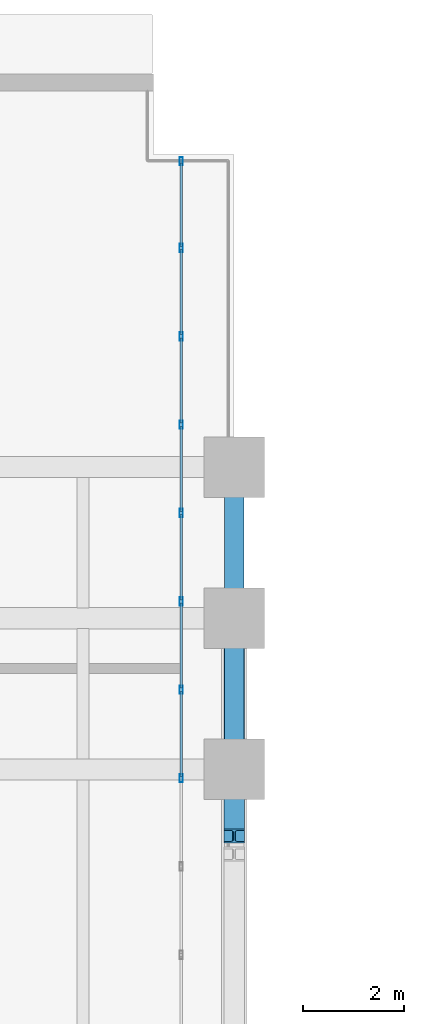
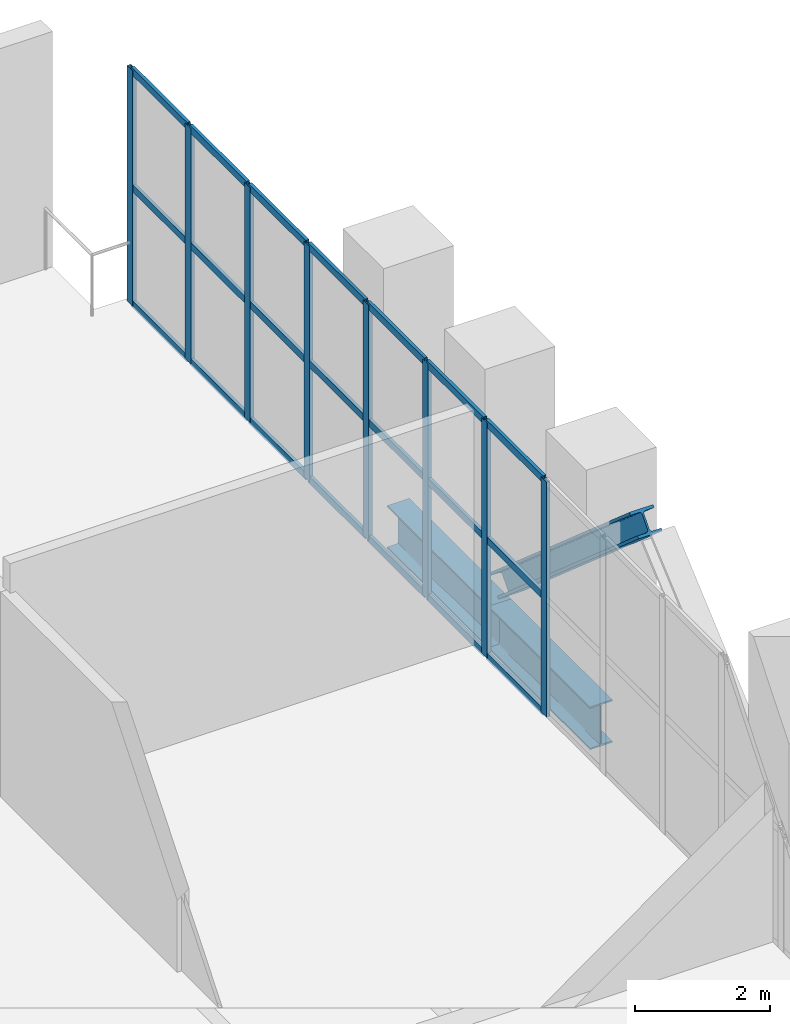
# One storey, part 20 of 27: 30 members, 2 beams, 1 element without a shape of its own.
"""IFC4 building model written with IfcOpenShell, lengths in metres."""

from ifc_helpers import new_model, si_unit, direction, frame, origin, origin_2d, place, context, subcontext, project, spatial, hollow_rectangle, i_section, extrude, material, layer, layer_set, material_profile, profile_set, type_object, element, aggregate, save


model = new_model("IFC4")

# Units and contexts
model_context = context("Model", 3, precision=1e-05, world=origin(), true_north=direction((0.0, 1.0)))
body_context = subcontext(model_context, "Body", "Model", "MODEL_VIEW")
ifc_project = project(units=[si_unit("LENGTHUNIT", "METRE"), si_unit("AREAUNIT", "SQUARE_METRE"), si_unit("VOLUMEUNIT", "CUBIC_METRE"), si_unit("PLANEANGLEUNIT", "RADIAN"), si_unit("MASSUNIT", "GRAM", prefix="KILO")], contexts=[model_context])

# Site, building, storey
site_placement = place(None, origin())
site = spatial("IfcSite", under=ifc_project, at=site_placement, CompositionType="ELEMENT")
building_placement = place(site_placement, origin())
building = spatial("IfcBuilding", under=site, at=building_placement, Name="Mawjdan Bourse Tower", CompositionType="ELEMENT")
storey_placement = place(building_placement, frame((0.0, 0.0, 84.60009765625)))
storey = spatial("IfcBuildingStorey", under=building, at=storey_placement, Name="L19", CompositionType="ELEMENT", Elevation=84.60009765625)

# Member
ifc_material_1 = material(Name="Structural Steel S460", Category="steel")
ifc_material_profile_1 = material_profile(ifc_material_1, i_section(OverallWidth=0.406005859375, OverallDepth=0.416015625, WebThickness=0.02978515625, FlangeThickness=0.048095703125, FilletRadius=0.038330078125, at=origin_2d()), Name="W14X257")
ifc_profile_set_1 = profile_set([ifc_material_profile_1], Name="Structural Steel S460")
member_type_1 = type_object("IfcMemberType", Name="BRC-W14X257", PredefinedType="BRACE", material=ifc_profile_set_1)
member_1_placement = place(storey_placement, frame((24.0, 34.679931640625, 3.7998046875), z_axis=(0.0, 0.754629472097, -0.656151171486), x_axis=(-1.0, 0.0, 0.0)))
element("IfcMember", 1, at=member_1_placement, inside=storey, type_object=member_type_1, Name="L19 North Wing Perimeter Belt Truss Diagonal 4", PredefinedType="BRACE", context=body_context, shape_type="SweptSolid", body=[
    extrude(i_section(OverallWidth=0.406005859375, OverallDepth=0.416015625, WebThickness=0.02978515625, FlangeThickness=0.048095703125, FilletRadius=0.038330078125, at=origin_2d()), origin(), (0.0, 0.0, 1.0), 5.486328125),
])

# Curtain wall, members
ifc_material_2 = material(Name="Thermally Broken Aluminium and Solar Glass", Category="aluminium")
ifc_layer = layer(ifc_material_2, 0.219970703125)
ifc_layer_set = layer_set([ifc_layer], Name="Thermally Broken Aluminium and Solar Glass")
curtain_wall_type = type_object("IfcCurtainWallType", Name="CW-RFG", PredefinedType="USERDEFINED", material=ifc_layer_set)
curtain_wall_placement = place(storey_placement, origin())
curtain_wall = element("IfcCurtainWall", 2, at=curtain_wall_placement, inside=storey, type_object=curtain_wall_type, Name="L19 Refuge Band North-Wing Louvre Curtain Wall", ObjectType="REFUGE BAND LOUVRE SCREEN", PredefinedType="USERDEFINED")
ifc_material_3 = material(Name="Thermally Broken Anodised Aluminium", Category="aluminium")
ifc_material_profile_2 = material_profile(ifc_material_3, hollow_rectangle(XDim=0.06494140625, YDim=0.1650390625, WallThickness=0.00390625, at=origin_2d()), Name="ALU-MUL-165X65")
ifc_profile_set_2 = profile_set([ifc_material_profile_2], Name="Thermally Broken Anodised Aluminium")
member_type_2 = type_object("IfcMemberType", Name="MUL-ALU-MUL-165X65", PredefinedType="MULLION", material=ifc_profile_set_2)
member_2_placement = place(storey_placement, frame((22.949951171875, 35.82666015625, 0.0), z_axis=(0.0, 0.0, 1.0), x_axis=(-1.0, 0.0, 0.0)))
member_2 = element("IfcMember", 3, at=member_2_placement, type_object=member_type_2, Name="CW-RFG-L19-RFG-W mullion 9", PredefinedType="MULLION", context=body_context, shape_type="SweptSolid", body=[
    extrude(hollow_rectangle(XDim=0.06494140625, YDim=0.1650390625, WallThickness=0.00390625, at=origin_2d()), origin(), (0.0, 0.0, 1.0), 4.25),
])
member_3_placement = place(storey_placement, frame((22.949951171875, 37.580078125, 0.0), z_axis=(0.0, 0.0, 1.0), x_axis=(-1.0, 0.0, 0.0)))
member_3 = element("IfcMember", 4, at=member_3_placement, type_object=member_type_2, Name="CW-RFG-L19-RFG-W mullion 10", PredefinedType="MULLION", context=body_context, shape_type="SweptSolid", body=[
    extrude(hollow_rectangle(XDim=0.06494140625, YDim=0.1650390625, WallThickness=0.00390625, at=origin_2d()), origin(), (0.0, 0.0, 1.0), 4.25),
])
member_4_placement = place(storey_placement, frame((22.949951171875, 39.333251953125, 0.0), z_axis=(0.0, 0.0, 1.0), x_axis=(-1.0, 0.0, 0.0)))
member_4 = element("IfcMember", 5, at=member_4_placement, type_object=member_type_2, Name="CW-RFG-L19-RFG-W mullion 11", PredefinedType="MULLION", context=body_context, shape_type="SweptSolid", body=[
    extrude(hollow_rectangle(XDim=0.06494140625, YDim=0.1650390625, WallThickness=0.00390625, at=origin_2d()), origin(), (0.0, 0.0, 1.0), 4.25),
])
member_5_placement = place(storey_placement, frame((22.949951171875, 41.086669921875, 0.0), z_axis=(0.0, 0.0, 1.0), x_axis=(-1.0, 0.0, 0.0)))
member_5 = element("IfcMember", 6, at=member_5_placement, type_object=member_type_2, Name="CW-RFG-L19-RFG-W mullion 12", PredefinedType="MULLION", context=body_context, shape_type="SweptSolid", body=[
    extrude(hollow_rectangle(XDim=0.06494140625, YDim=0.1650390625, WallThickness=0.00390625, at=origin_2d()), origin(), (0.0, 0.0, 1.0), 4.25),
])
member_6_placement = place(storey_placement, frame((22.949951171875, 42.840087890625, 0.0), z_axis=(0.0, 0.0, 1.0), x_axis=(-1.0, 0.0, 0.0)))
member_6 = element("IfcMember", 7, at=member_6_placement, type_object=member_type_2, Name="CW-RFG-L19-RFG-W mullion 13", PredefinedType="MULLION", context=body_context, shape_type="SweptSolid", body=[
    extrude(hollow_rectangle(XDim=0.06494140625, YDim=0.1650390625, WallThickness=0.00390625, at=origin_2d()), origin(), (0.0, 0.0, 1.0), 4.25),
])
member_7_placement = place(storey_placement, frame((22.949951171875, 44.59326171875, 0.0), z_axis=(0.0, 0.0, 1.0), x_axis=(-1.0, 0.0, 0.0)))
member_7 = element("IfcMember", 8, at=member_7_placement, type_object=member_type_2, Name="CW-RFG-L19-RFG-W mullion 14", PredefinedType="MULLION", context=body_context, shape_type="SweptSolid", body=[
    extrude(hollow_rectangle(XDim=0.06494140625, YDim=0.1650390625, WallThickness=0.00390625, at=origin_2d()), origin(), (0.0, 0.0, 1.0), 4.25),
])
member_8_placement = place(storey_placement, frame((22.949951171875, 46.3466796875, 0.0), z_axis=(0.0, 0.0, 1.0), x_axis=(-1.0, 0.0, 0.0)))
member_8 = element("IfcMember", 9, at=member_8_placement, type_object=member_type_2, Name="CW-RFG-L19-RFG-W mullion 15", PredefinedType="MULLION", context=body_context, shape_type="SweptSolid", body=[
    extrude(hollow_rectangle(XDim=0.06494140625, YDim=0.1650390625, WallThickness=0.00390625, at=origin_2d()), origin(), (0.0, 0.0, 1.0), 4.25),
])
member_9_placement = place(storey_placement, frame((22.949951171875, 48.0673828125, 0.0), z_axis=(0.0, 0.0, 1.0), x_axis=(-1.0, 0.0, 0.0)))
member_9 = element("IfcMember", 10, at=member_9_placement, type_object=member_type_2, Name="CW-RFG-L19-RFG-W mullion 16", PredefinedType="MULLION", context=body_context, shape_type="SweptSolid", body=[
    extrude(hollow_rectangle(XDim=0.06494140625, YDim=0.1650390625, WallThickness=0.00390625, at=origin_2d()), origin(), (0.0, 0.0, 1.0), 4.25),
])

# Beams
ifc_material_4 = material(Name="Structural Steel S355", Category="steel")
ifc_material_profile_3 = material_profile(ifc_material_4, i_section(OverallWidth=0.381103515625, OverallDepth=0.77294921875, WebThickness=0.0166015625, FlangeThickness=0.027099609375, FilletRadius=0.021728515625, at=origin_2d()), Name="W30X173")
ifc_profile_set_3 = profile_set([ifc_material_profile_3], Name="Structural Steel S355")
beam_type = type_object("IfcBeamType", Name="SPN-W30X173", PredefinedType="SPANDREL", material=ifc_profile_set_3)
for number, where, z_axis, x_axis, name in (
    (11, (24.0, 36.0, -0.66650390625), (0.0, 1.0, 0.0), (-1.0, 0.0, 0.0), "L19 North Wing Spandrel 076"),
    (12, (24.0, 39.0, -0.66650390625), (0.0, 1.0, 0.0), (-1.0, 0.0, 0.0), "L19 North Wing Spandrel 077"),
):
    element("IfcBeam", number, at=place(storey_placement, frame(where, z_axis=z_axis, x_axis=x_axis)), inside=storey, type_object=beam_type, Name=name, PredefinedType="SPANDREL", context=body_context, shape_type="SweptSolid", body=[
        extrude(i_section(OverallWidth=0.381103515625, OverallDepth=0.77294921875, WebThickness=0.0166015625, FlangeThickness=0.027099609375, FilletRadius=0.021728515625, at=origin_2d()), origin(), (0.0, 0.0, 1.0), 3.0),
    ])

# Member
ifc_material_profile_4 = material_profile(ifc_material_3, hollow_rectangle(XDim=0.054931640625, YDim=0.1298828125, WallThickness=0.00341796875, at=origin_2d()), Name="ALU-TRN-130X55")
ifc_profile_set_4 = profile_set([ifc_material_profile_4], Name="Thermally Broken Anodised Aluminium")
member_type_3 = type_object("IfcMemberType", Name="TRN-ALU-TRN-130X55", PredefinedType="USERDEFINED", material=ifc_profile_set_4)
member_10_placement = place(storey_placement, frame((22.949951171875, 35.859130859375, 0.02734375), z_axis=(0.0, 1.0, 0.0), x_axis=(-1.0, 0.0, 0.0)))
member_10 = element("IfcMember", 13, at=member_10_placement, type_object=member_type_3, Name="CW-RFG-L19-RFG-W transom 9.1", ObjectType="TRANSOM", PredefinedType="USERDEFINED", context=body_context, shape_type="SweptSolid", body=[
    extrude(hollow_rectangle(XDim=0.054931640625, YDim=0.1298828125, WallThickness=0.00341796875, at=origin_2d()), origin(), (0.0, 0.0, 1.0), 1.6884765625),
])

member_11_placement = place(storey_placement, frame((22.949951171875, 35.859130859375, 2.125), z_axis=(0.0, 1.0, 0.0), x_axis=(-1.0, 0.0, 0.0)))
member_11 = element("IfcMember", 14, at=member_11_placement, type_object=member_type_3, Name="CW-RFG-L19-RFG-W transom 9.2", ObjectType="TRANSOM", PredefinedType="USERDEFINED", context=body_context, shape_type="SweptSolid", body=[
    extrude(hollow_rectangle(XDim=0.054931640625, YDim=0.1298828125, WallThickness=0.00341796875, at=origin_2d()), origin(), (0.0, 0.0, 1.0), 1.6884765625),
])

member_12_placement = place(storey_placement, frame((22.949951171875, 35.859130859375, 4.222412109375), z_axis=(0.0, 1.0, 0.0), x_axis=(-1.0, 0.0, 0.0)))
member_12 = element("IfcMember", 15, at=member_12_placement, type_object=member_type_3, Name="CW-RFG-L19-RFG-W transom 9.3", ObjectType="TRANSOM", PredefinedType="USERDEFINED", context=body_context, shape_type="SweptSolid", body=[
    extrude(hollow_rectangle(XDim=0.054931640625, YDim=0.1298828125, WallThickness=0.00341796875, at=origin_2d()), origin(), (0.0, 0.0, 1.0), 1.6884765625),
])

member_13_placement = place(storey_placement, frame((22.949951171875, 37.612548828125, 0.02734375), z_axis=(0.0, 1.0, 0.0), x_axis=(-1.0, 0.0, 0.0)))
member_13 = element("IfcMember", 16, at=member_13_placement, type_object=member_type_3, Name="CW-RFG-L19-RFG-W transom 10.1", ObjectType="TRANSOM", PredefinedType="USERDEFINED", context=body_context, shape_type="SweptSolid", body=[
    extrude(hollow_rectangle(XDim=0.054931640625, YDim=0.1298828125, WallThickness=0.00341796875, at=origin_2d()), origin(), (0.0, 0.0, 1.0), 1.688232421875),
])

member_14_placement = place(storey_placement, frame((22.949951171875, 37.612548828125, 2.125), z_axis=(0.0, 1.0, 0.0), x_axis=(-1.0, 0.0, 0.0)))
member_14 = element("IfcMember", 17, at=member_14_placement, type_object=member_type_3, Name="CW-RFG-L19-RFG-W transom 10.2", ObjectType="TRANSOM", PredefinedType="USERDEFINED", context=body_context, shape_type="SweptSolid", body=[
    extrude(hollow_rectangle(XDim=0.054931640625, YDim=0.1298828125, WallThickness=0.00341796875, at=origin_2d()), origin(), (0.0, 0.0, 1.0), 1.688232421875),
])

member_15_placement = place(storey_placement, frame((22.949951171875, 37.612548828125, 4.222412109375), z_axis=(0.0, 1.0, 0.0), x_axis=(-1.0, 0.0, 0.0)))
member_15 = element("IfcMember", 18, at=member_15_placement, type_object=member_type_3, Name="CW-RFG-L19-RFG-W transom 10.3", ObjectType="TRANSOM", PredefinedType="USERDEFINED", context=body_context, shape_type="SweptSolid", body=[
    extrude(hollow_rectangle(XDim=0.054931640625, YDim=0.1298828125, WallThickness=0.00341796875, at=origin_2d()), origin(), (0.0, 0.0, 1.0), 1.688232421875),
])

member_16_placement = place(storey_placement, frame((22.949951171875, 39.36572265625, 0.02734375), z_axis=(0.0, 1.0, 0.0), x_axis=(-1.0, 0.0, 0.0)))
member_16 = element("IfcMember", 19, at=member_16_placement, type_object=member_type_3, Name="CW-RFG-L19-RFG-W transom 11.1", ObjectType="TRANSOM", PredefinedType="USERDEFINED", context=body_context, shape_type="SweptSolid", body=[
    extrude(hollow_rectangle(XDim=0.054931640625, YDim=0.1298828125, WallThickness=0.00341796875, at=origin_2d()), origin(), (0.0, 0.0, 1.0), 1.6884765625),
])

member_17_placement = place(storey_placement, frame((22.949951171875, 39.36572265625, 2.125), z_axis=(0.0, 1.0, 0.0), x_axis=(-1.0, 0.0, 0.0)))
member_17 = element("IfcMember", 20, at=member_17_placement, type_object=member_type_3, Name="CW-RFG-L19-RFG-W transom 11.2", ObjectType="TRANSOM", PredefinedType="USERDEFINED", context=body_context, shape_type="SweptSolid", body=[
    extrude(hollow_rectangle(XDim=0.054931640625, YDim=0.1298828125, WallThickness=0.00341796875, at=origin_2d()), origin(), (0.0, 0.0, 1.0), 1.6884765625),
])

member_18_placement = place(storey_placement, frame((22.949951171875, 39.36572265625, 4.222412109375), z_axis=(0.0, 1.0, 0.0), x_axis=(-1.0, 0.0, 0.0)))
member_18 = element("IfcMember", 21, at=member_18_placement, type_object=member_type_3, Name="CW-RFG-L19-RFG-W transom 11.3", ObjectType="TRANSOM", PredefinedType="USERDEFINED", context=body_context, shape_type="SweptSolid", body=[
    extrude(hollow_rectangle(XDim=0.054931640625, YDim=0.1298828125, WallThickness=0.00341796875, at=origin_2d()), origin(), (0.0, 0.0, 1.0), 1.6884765625),
])

member_19_placement = place(storey_placement, frame((22.949951171875, 41.119140625, 0.02734375), z_axis=(0.0, 1.0, 0.0), x_axis=(-1.0, 0.0, 0.0)))
member_19 = element("IfcMember", 22, at=member_19_placement, type_object=member_type_3, Name="CW-RFG-L19-RFG-W transom 12.1", ObjectType="TRANSOM", PredefinedType="USERDEFINED", context=body_context, shape_type="SweptSolid", body=[
    extrude(hollow_rectangle(XDim=0.054931640625, YDim=0.1298828125, WallThickness=0.00341796875, at=origin_2d()), origin(), (0.0, 0.0, 1.0), 1.6884765625),
])

member_20_placement = place(storey_placement, frame((22.949951171875, 41.119140625, 2.125), z_axis=(0.0, 1.0, 0.0), x_axis=(-1.0, 0.0, 0.0)))
member_20 = element("IfcMember", 23, at=member_20_placement, type_object=member_type_3, Name="CW-RFG-L19-RFG-W transom 12.2", ObjectType="TRANSOM", PredefinedType="USERDEFINED", context=body_context, shape_type="SweptSolid", body=[
    extrude(hollow_rectangle(XDim=0.054931640625, YDim=0.1298828125, WallThickness=0.00341796875, at=origin_2d()), origin(), (0.0, 0.0, 1.0), 1.6884765625),
])

member_21_placement = place(storey_placement, frame((22.949951171875, 41.119140625, 4.222412109375), z_axis=(0.0, 1.0, 0.0), x_axis=(-1.0, 0.0, 0.0)))
member_21 = element("IfcMember", 24, at=member_21_placement, type_object=member_type_3, Name="CW-RFG-L19-RFG-W transom 12.3", ObjectType="TRANSOM", PredefinedType="USERDEFINED", context=body_context, shape_type="SweptSolid", body=[
    extrude(hollow_rectangle(XDim=0.054931640625, YDim=0.1298828125, WallThickness=0.00341796875, at=origin_2d()), origin(), (0.0, 0.0, 1.0), 1.6884765625),
])

member_22_placement = place(storey_placement, frame((22.949951171875, 42.87255859375, 0.02734375), z_axis=(0.0, 1.0, 0.0), x_axis=(-1.0, 0.0, 0.0)))
member_22 = element("IfcMember", 25, at=member_22_placement, type_object=member_type_3, Name="CW-RFG-L19-RFG-W transom 13.1", ObjectType="TRANSOM", PredefinedType="USERDEFINED", context=body_context, shape_type="SweptSolid", body=[
    extrude(hollow_rectangle(XDim=0.054931640625, YDim=0.1298828125, WallThickness=0.00341796875, at=origin_2d()), origin(), (0.0, 0.0, 1.0), 1.688232421875),
])

member_23_placement = place(storey_placement, frame((22.949951171875, 42.87255859375, 2.125), z_axis=(0.0, 1.0, 0.0), x_axis=(-1.0, 0.0, 0.0)))
member_23 = element("IfcMember", 26, at=member_23_placement, type_object=member_type_3, Name="CW-RFG-L19-RFG-W transom 13.2", ObjectType="TRANSOM", PredefinedType="USERDEFINED", context=body_context, shape_type="SweptSolid", body=[
    extrude(hollow_rectangle(XDim=0.054931640625, YDim=0.1298828125, WallThickness=0.00341796875, at=origin_2d()), origin(), (0.0, 0.0, 1.0), 1.688232421875),
])

member_24_placement = place(storey_placement, frame((22.949951171875, 42.87255859375, 4.222412109375), z_axis=(0.0, 1.0, 0.0), x_axis=(-1.0, 0.0, 0.0)))
member_24 = element("IfcMember", 27, at=member_24_placement, type_object=member_type_3, Name="CW-RFG-L19-RFG-W transom 13.3", ObjectType="TRANSOM", PredefinedType="USERDEFINED", context=body_context, shape_type="SweptSolid", body=[
    extrude(hollow_rectangle(XDim=0.054931640625, YDim=0.1298828125, WallThickness=0.00341796875, at=origin_2d()), origin(), (0.0, 0.0, 1.0), 1.688232421875),
])

member_25_placement = place(storey_placement, frame((22.949951171875, 44.625732421875, 0.02734375), z_axis=(0.0, 1.0, 0.0), x_axis=(-1.0, 0.0, 0.0)))
member_25 = element("IfcMember", 28, at=member_25_placement, type_object=member_type_3, Name="CW-RFG-L19-RFG-W transom 14.1", ObjectType="TRANSOM", PredefinedType="USERDEFINED", context=body_context, shape_type="SweptSolid", body=[
    extrude(hollow_rectangle(XDim=0.054931640625, YDim=0.1298828125, WallThickness=0.00341796875, at=origin_2d()), origin(), (0.0, 0.0, 1.0), 1.6884765625),
])

member_26_placement = place(storey_placement, frame((22.949951171875, 44.625732421875, 2.125), z_axis=(0.0, 1.0, 0.0), x_axis=(-1.0, 0.0, 0.0)))
member_26 = element("IfcMember", 29, at=member_26_placement, type_object=member_type_3, Name="CW-RFG-L19-RFG-W transom 14.2", ObjectType="TRANSOM", PredefinedType="USERDEFINED", context=body_context, shape_type="SweptSolid", body=[
    extrude(hollow_rectangle(XDim=0.054931640625, YDim=0.1298828125, WallThickness=0.00341796875, at=origin_2d()), origin(), (0.0, 0.0, 1.0), 1.6884765625),
])

member_27_placement = place(storey_placement, frame((22.949951171875, 44.625732421875, 4.222412109375), z_axis=(0.0, 1.0, 0.0), x_axis=(-1.0, 0.0, 0.0)))
member_27 = element("IfcMember", 30, at=member_27_placement, type_object=member_type_3, Name="CW-RFG-L19-RFG-W transom 14.3", ObjectType="TRANSOM", PredefinedType="USERDEFINED", context=body_context, shape_type="SweptSolid", body=[
    extrude(hollow_rectangle(XDim=0.054931640625, YDim=0.1298828125, WallThickness=0.00341796875, at=origin_2d()), origin(), (0.0, 0.0, 1.0), 1.6884765625),
])

member_28_placement = place(storey_placement, frame((22.949951171875, 46.379150390625, 0.02734375), z_axis=(0.0, 1.0, 0.0), x_axis=(-1.0, 0.0, 0.0)))
member_28 = element("IfcMember", 31, at=member_28_placement, type_object=member_type_3, Name="CW-RFG-L19-RFG-W transom 15.1", ObjectType="TRANSOM", PredefinedType="USERDEFINED", context=body_context, shape_type="SweptSolid", body=[
    extrude(hollow_rectangle(XDim=0.054931640625, YDim=0.1298828125, WallThickness=0.00341796875, at=origin_2d()), origin(), (0.0, 0.0, 1.0), 1.65576171875),
])

member_29_placement = place(storey_placement, frame((22.949951171875, 46.379150390625, 2.125), z_axis=(0.0, 1.0, 0.0), x_axis=(-1.0, 0.0, 0.0)))
member_29 = element("IfcMember", 32, at=member_29_placement, type_object=member_type_3, Name="CW-RFG-L19-RFG-W transom 15.2", ObjectType="TRANSOM", PredefinedType="USERDEFINED", context=body_context, shape_type="SweptSolid", body=[
    extrude(hollow_rectangle(XDim=0.054931640625, YDim=0.1298828125, WallThickness=0.00341796875, at=origin_2d()), origin(), (0.0, 0.0, 1.0), 1.65576171875),
])

member_30_placement = place(storey_placement, frame((22.949951171875, 46.379150390625, 4.222412109375), z_axis=(0.0, 1.0, 0.0), x_axis=(-1.0, 0.0, 0.0)))
member_30 = element("IfcMember", 33, at=member_30_placement, type_object=member_type_3, Name="CW-RFG-L19-RFG-W transom 15.3", ObjectType="TRANSOM", PredefinedType="USERDEFINED", context=body_context, shape_type="SweptSolid", body=[
    extrude(hollow_rectangle(XDim=0.054931640625, YDim=0.1298828125, WallThickness=0.00341796875, at=origin_2d()), origin(), (0.0, 0.0, 1.0), 1.65576171875),
])

aggregate(curtain_wall, [member_2, member_3, member_4, member_5, member_6, member_7, member_8, member_9, member_10, member_11, member_12, member_13, member_14, member_15, member_16, member_17, member_18, member_19, member_20, member_21, member_22, member_23, member_24, member_25, member_26, member_27, member_28, member_29, member_30])

save(model, "model.ifc")
